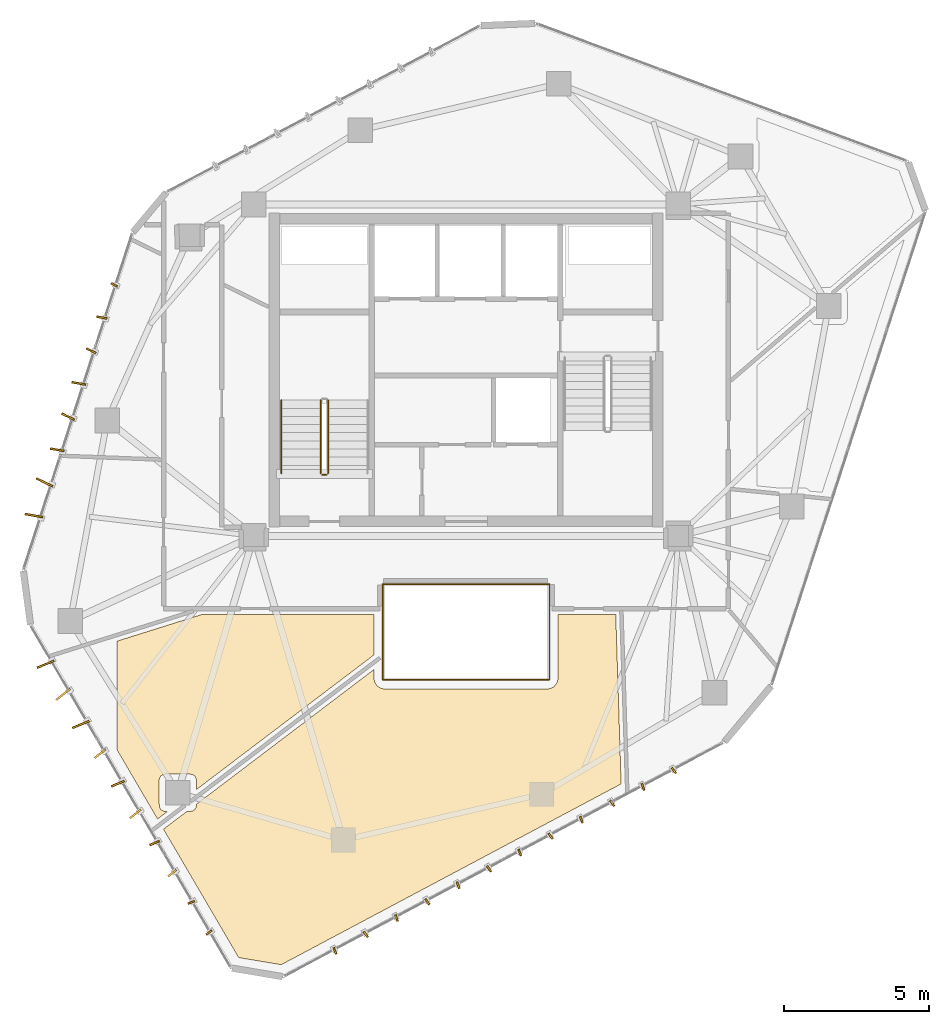
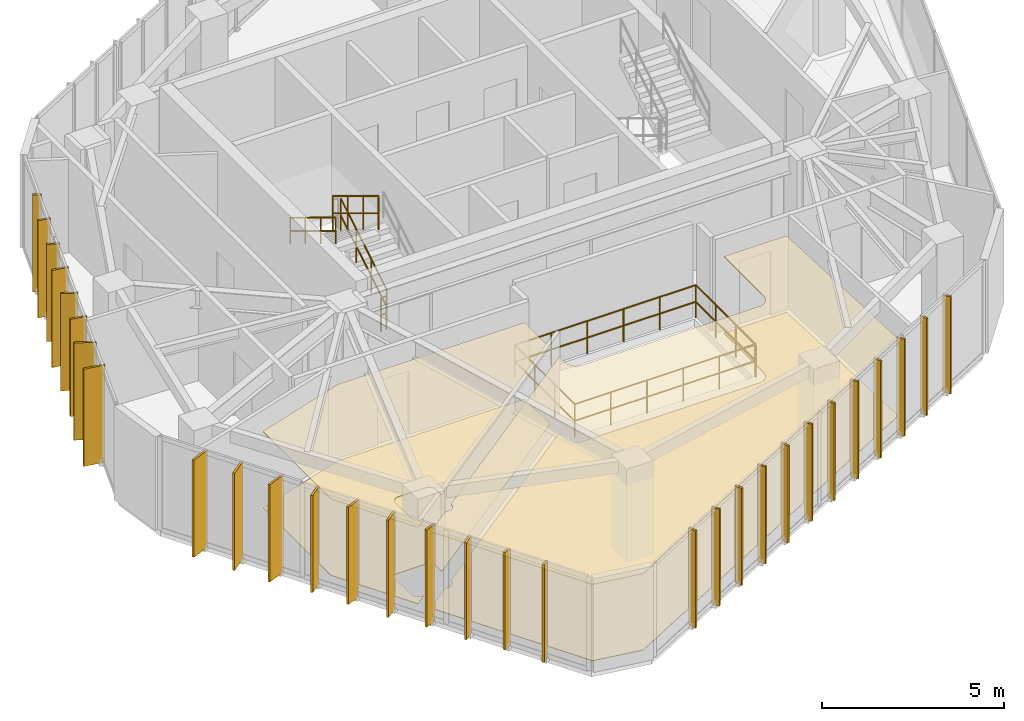
# One storey, part 19 of 20: 30 shading devices, 8 railings, 4 coverings.
"""IFC4 building model written with IfcOpenShell, lengths in metres."""

from ifc_helpers import new_model, si_unit, direction, frame, origin, origin_2d, place, context, subcontext, project, spatial, polyline, rectangle, circle, outline, extrude, source, transform, mapped, material, layer, layer_set, type_object, type_shapes, element, save


model = new_model("IFC4")

# Units and contexts
model_context = context("Model", 3, precision=1e-05, world=origin(), true_north=direction((0.0, 1.0)))
body_context = subcontext(model_context, "Body", "Model", "MODEL_VIEW")
ifc_project = project(units=[si_unit("LENGTHUNIT", "METRE"), si_unit("AREAUNIT", "SQUARE_METRE"), si_unit("VOLUMEUNIT", "CUBIC_METRE"), si_unit("PLANEANGLEUNIT", "RADIAN"), si_unit("MASSUNIT", "GRAM", prefix="KILO")], contexts=[model_context])

# Site, building, storey
site_placement = place(None, origin())
site = spatial("IfcSite", under=ifc_project, at=site_placement, CompositionType="ELEMENT")
building_placement = place(site_placement, origin())
building = spatial("IfcBuilding", under=site, at=building_placement, Name="Talar Marvaseh", CompositionType="ELEMENT")
storey_placement = place(building_placement, frame((0.0, 0.0, 261.199951171875)))
storey = spatial("IfcBuildingStorey", under=building, at=storey_placement, Name="L69", CompositionType="ELEMENT", Elevation=261.199951171875)

# Railings
ifc_material_1 = material(Name="Stainless Steel Grade 316", Category="steel")
railing_type_1 = type_object("IfcRailingType", Name="Brushed Stainless Wall Pitch Handrail 900", PredefinedType="HANDRAIL", material=ifc_material_1)
railing_1_placement = place(storey_placement, frame((19.64990234375, 30.169921875, 1.8701171875)))
element("IfcRailing", 1, at=railing_1_placement, inside=storey, type_object=railing_type_1, Name="L69 ST-1 stair handrail 2", PredefinedType="HANDRAIL", context=body_context, shape_type="SweptSolid", body=[
    extrude(circle(Radius=0.02392578125, at=origin_2d()), frame((0.0, 0.0, 0.8759765625), z_axis=(0.0, -0.85478489116, 0.518982456201), x_axis=(1.0, 0.0, 0.0)), (0.0, 0.0, 1.0), 2.9482421875),
    extrude(circle(Radius=0.02392578125, at=origin_2d()), frame((0.0, 0.0, 0.42578125), z_axis=(0.0, -0.85478489116, 0.518982456201), x_axis=(1.0, 0.0, 0.0)), (0.0, 0.0, 1.0), 2.9482421875),
    extrude(circle(Radius=0.02099609375, at=origin_2d()), origin(), (0.0, 0.0, 1.0), 0.851806640625),
    extrude(circle(Radius=0.02099609375, at=origin_2d()), frame((0.0, -0.840087890625, 0.510009765625)), (0.0, 0.0, 1.0), 0.851806640625),
    extrude(circle(Radius=0.02099609375, at=origin_2d()), frame((0.0, -1.679931640625, 1.02001953125)), (0.0, 0.0, 1.0), 0.851806640625),
    extrude(circle(Radius=0.02099609375, at=origin_2d()), frame((0.0, -2.52001953125, 1.530029296875)), (0.0, 0.0, 1.0), 0.851806640625),
])
ifc_material_2 = material(Name="Tempered Clear Glass", Category="glass")
railing_type_2 = type_object("IfcRailingType", Name="Interior Atrium Edge Balustrade 1120", PredefinedType="BALUSTRADE", material=ifc_material_2)
railing_2_placement = place(storey_placement, frame((23.130615234375, 20.560302734375, 0.0)))
element("IfcRailing", 2, at=railing_2_placement, inside=storey, type_object=railing_type_2, Name="L69 Internal Daylight Atrium Balustrade 1", PredefinedType="BALUSTRADE", context=body_context, shape_type="SweptSolid", body=[
    extrude(circle(Radius=0.02392578125, at=origin_2d()), frame((0.0, 0.0, 1.09619140625), z_axis=(1.0, 0.0, 0.0), x_axis=(0.0, 1.0, 0.0)), (0.0, 0.0, 1.0), 5.73876953125),
    extrude(circle(Radius=0.02392578125, at=origin_2d()), frame((0.0, 0.0, 0.5361328125), z_axis=(1.0, 0.0, 0.0), x_axis=(0.0, 1.0, 0.0)), (0.0, 0.0, 1.0), 5.73876953125),
    extrude(circle(Radius=0.02099609375, at=origin_2d()), origin(), (0.0, 0.0, 1.0), 1.072021484375),
    extrude(circle(Radius=0.02099609375, at=origin_2d()), frame((1.147705078125, 0.0, 0.0)), (0.0, 0.0, 1.0), 1.072021484375),
    extrude(circle(Radius=0.02099609375, at=origin_2d()), frame((2.29541015625, 0.0, 0.0)), (0.0, 0.0, 1.0), 1.072021484375),
    extrude(circle(Radius=0.02099609375, at=origin_2d()), frame((3.443359375, 0.0, 0.0)), (0.0, 0.0, 1.0), 1.072021484375),
    extrude(circle(Radius=0.02099609375, at=origin_2d()), frame((4.591064453125, 0.0, 0.0)), (0.0, 0.0, 1.0), 1.072021484375),
    extrude(circle(Radius=0.02099609375, at=origin_2d()), frame((5.73876953125, 0.0, 0.0)), (0.0, 0.0, 1.0), 1.072021484375),
])
railing_3_placement = place(storey_placement, frame((28.869384765625, 20.560302734375, 0.0)))
element("IfcRailing", 3, at=railing_3_placement, inside=storey, type_object=railing_type_2, Name="L69 Internal Daylight Atrium Balustrade 2", PredefinedType="BALUSTRADE", context=body_context, shape_type="SweptSolid", body=[
    extrude(circle(Radius=0.02392578125, at=origin_2d()), frame((0.0, 0.0, 1.09619140625), z_axis=(0.0, 1.0, 0.0), x_axis=(-1.0, 0.0, 0.0)), (0.0, 0.0, 1.0), 3.279296875),
    extrude(circle(Radius=0.02392578125, at=origin_2d()), frame((0.0, 0.0, 0.5361328125), z_axis=(0.0, 1.0, 0.0), x_axis=(-1.0, 0.0, 0.0)), (0.0, 0.0, 1.0), 3.279296875),
    extrude(circle(Radius=0.02099609375, at=origin_2d()), origin(), (0.0, 0.0, 1.0), 1.072021484375),
    extrude(circle(Radius=0.02099609375, at=origin_2d()), frame((0.0, 1.093017578125, 0.0)), (0.0, 0.0, 1.0), 1.072021484375),
    extrude(circle(Radius=0.02099609375, at=origin_2d()), frame((0.0, 2.186279296875, 0.0)), (0.0, 0.0, 1.0), 1.072021484375),
    extrude(circle(Radius=0.02099609375, at=origin_2d()), frame((0.0, 3.279296875, 0.0)), (0.0, 0.0, 1.0), 1.072021484375),
])
railing_4_placement = place(storey_placement, frame((28.869384765625, 23.839599609375, 0.0)))
element("IfcRailing", 4, at=railing_4_placement, inside=storey, type_object=railing_type_2, Name="L69 Internal Daylight Atrium Balustrade 3", PredefinedType="BALUSTRADE", context=body_context, shape_type="SweptSolid", body=[
    extrude(circle(Radius=0.02392578125, at=origin_2d()), frame((0.0, 0.0, 1.09619140625), z_axis=(-1.0, 0.0, 0.0), x_axis=(0.0, -1.0, 0.0)), (0.0, 0.0, 1.0), 5.73876953125),
    extrude(circle(Radius=0.02392578125, at=origin_2d()), frame((0.0, 0.0, 0.5361328125), z_axis=(-1.0, 0.0, 0.0), x_axis=(0.0, -1.0, 0.0)), (0.0, 0.0, 1.0), 5.73876953125),
    extrude(circle(Radius=0.02099609375, at=origin_2d()), origin(), (0.0, 0.0, 1.0), 1.072021484375),
    extrude(circle(Radius=0.02099609375, at=origin_2d()), frame((-1.147705078125, 0.0, 0.0)), (0.0, 0.0, 1.0), 1.072021484375),
    extrude(circle(Radius=0.02099609375, at=origin_2d()), frame((-2.29541015625, 0.0, 0.0)), (0.0, 0.0, 1.0), 1.072021484375),
    extrude(circle(Radius=0.02099609375, at=origin_2d()), frame((-3.443359375, 0.0, 0.0)), (0.0, 0.0, 1.0), 1.072021484375),
    extrude(circle(Radius=0.02099609375, at=origin_2d()), frame((-4.591064453125, 0.0, 0.0)), (0.0, 0.0, 1.0), 1.072021484375),
    extrude(circle(Radius=0.02099609375, at=origin_2d()), frame((-5.73876953125, 0.0, 0.0)), (0.0, 0.0, 1.0), 1.072021484375),
])
railing_5_placement = place(storey_placement, frame((23.130615234375, 23.839599609375, 0.0)))
element("IfcRailing", 5, at=railing_5_placement, inside=storey, type_object=railing_type_2, Name="L69 Internal Daylight Atrium Balustrade 4", PredefinedType="BALUSTRADE", context=body_context, shape_type="SweptSolid", body=[
    extrude(circle(Radius=0.02392578125, at=origin_2d()), frame((0.0, 0.0, 1.09619140625), z_axis=(0.0, -1.0, 0.0), x_axis=(1.0, 0.0, 0.0)), (0.0, 0.0, 1.0), 3.279296875),
    extrude(circle(Radius=0.02392578125, at=origin_2d()), frame((0.0, 0.0, 0.5361328125), z_axis=(0.0, -1.0, 0.0), x_axis=(1.0, 0.0, 0.0)), (0.0, 0.0, 1.0), 3.279296875),
    extrude(circle(Radius=0.02099609375, at=origin_2d()), origin(), (0.0, 0.0, 1.0), 1.072021484375),
    extrude(circle(Radius=0.02099609375, at=origin_2d()), frame((0.0, -1.093017578125, 0.0)), (0.0, 0.0, 1.0), 1.072021484375),
    extrude(circle(Radius=0.02099609375, at=origin_2d()), frame((0.0, -2.186279296875, 0.0)), (0.0, 0.0, 1.0), 1.072021484375),
    extrude(circle(Radius=0.02099609375, at=origin_2d()), frame((0.0, -3.279296875, 0.0)), (0.0, 0.0, 1.0), 1.072021484375),
])
railing_type_3 = type_object("IfcRailingType", Name="Painted Steel Core Stair Well Guardrail 1150", PredefinedType="GUARDRAIL", material=ifc_material_1)
railing_6_placement = place(storey_placement, frame((21.260009765625, 27.64990234375, 0.170166015625)))
element("IfcRailing", 6, at=railing_6_placement, inside=storey, type_object=railing_type_3, Name="L69 ST-1 stair guard 1", PredefinedType="GUARDRAIL", context=body_context, shape_type="SweptSolid", body=[
    extrude(circle(Radius=0.02392578125, at=origin_2d()), frame((0.0, 0.0, 1.1259765625), z_axis=(0.0, 0.854821627497, 0.518921945155), x_axis=(-1.0, 0.0, 0.0)), (0.0, 0.0, 1.0), 2.947998046875),
    extrude(circle(Radius=0.02392578125, at=origin_2d()), frame((0.0, 0.0, 0.55078125), z_axis=(0.0, 0.854821627497, 0.518921945155), x_axis=(-1.0, 0.0, 0.0)), (0.0, 0.0, 1.0), 2.947998046875),
    extrude(circle(Radius=0.02099609375, at=origin_2d()), origin(), (0.0, 0.0, 1.0), 1.101806640625),
    extrude(circle(Radius=0.02099609375, at=origin_2d()), frame((0.0, 0.840087890625, 0.510009765625)), (0.0, 0.0, 1.0), 1.101806640625),
    extrude(circle(Radius=0.02099609375, at=origin_2d()), frame((0.0, 1.679931640625, 1.019775390625)), (0.0, 0.0, 1.0), 1.101806640625),
    extrude(circle(Radius=0.02099609375, at=origin_2d()), frame((0.0, 2.52001953125, 1.52978515625)), (0.0, 0.0, 1.0), 1.101806640625),
])
railing_7_placement = place(storey_placement, frame((21.0, 30.169921875, 1.8701171875)))
element("IfcRailing", 7, at=railing_7_placement, inside=storey, type_object=railing_type_3, Name="L69 ST-1 stair guard 3", PredefinedType="GUARDRAIL", context=body_context, shape_type="SweptSolid", body=[
    extrude(circle(Radius=0.02392578125, at=origin_2d()), frame((0.0, 0.0, 1.1259765625), z_axis=(0.0, -0.85478489116, 0.518982456201), x_axis=(1.0, 0.0, 0.0)), (0.0, 0.0, 1.0), 2.9482421875),
    extrude(circle(Radius=0.02392578125, at=origin_2d()), frame((0.0, 0.0, 0.55078125), z_axis=(0.0, -0.85478489116, 0.518982456201), x_axis=(1.0, 0.0, 0.0)), (0.0, 0.0, 1.0), 2.9482421875),
    extrude(circle(Radius=0.02099609375, at=origin_2d()), origin(), (0.0, 0.0, 1.0), 1.101806640625),
    extrude(circle(Radius=0.02099609375, at=origin_2d()), frame((0.0, -0.840087890625, 0.510009765625)), (0.0, 0.0, 1.0), 1.101806640625),
    extrude(circle(Radius=0.02099609375, at=origin_2d()), frame((0.0, -1.679931640625, 1.02001953125)), (0.0, 0.0, 1.0), 1.101806640625),
    extrude(circle(Radius=0.02099609375, at=origin_2d()), frame((0.0, -2.52001953125, 1.530029296875)), (0.0, 0.0, 1.0), 1.101806640625),
])
railing_8_placement = place(storey_placement, frame((21.2099609375, 27.60009765625, 0.0)))
element("IfcRailing", 8, at=railing_8_placement, inside=storey, type_object=railing_type_3, Name="L69 ST-1 stair guard 4", PredefinedType="GUARDRAIL", context=body_context, shape_type="SweptSolid", body=[
    extrude(circle(Radius=0.02392578125, at=origin_2d()), frame((0.0, 0.0, 1.1259765625), z_axis=(-1.0, 0.0, 0.0), x_axis=(0.0, -1.0, 0.0)), (0.0, 0.0, 1.0), 0.159912109375),
    extrude(circle(Radius=0.02392578125, at=origin_2d()), frame((0.0, 0.0, 0.55078125), z_axis=(-1.0, 0.0, 0.0), x_axis=(0.0, -1.0, 0.0)), (0.0, 0.0, 1.0), 0.159912109375),
    extrude(circle(Radius=0.02099609375, at=origin_2d()), origin(), (0.0, 0.0, 1.0), 1.101806640625),
    extrude(circle(Radius=0.02099609375, at=origin_2d()), frame((-0.159912109375, 0.0, 0.0)), (0.0, 0.0, 1.0), 1.101806640625),
])

# Coverings
ifc_material_3 = material(Name="Mineral Fibre Acoustic Ceiling")
ifc_layer_1 = layer(ifc_material_3, 0.02490234375)
ifc_layer_set_1 = layer_set([ifc_layer_1], Name="Mineral Fibre Acoustic Ceiling")
covering_type_1 = type_object("IfcCoveringType", Name="Perforated Mineral Fibre Acoustic Suspended Ceiling", PredefinedType="CEILING", material=ifc_layer_set_1)
covering_1_placement = place(storey_placement, frame((0.0, 0.0, 2.56005859375)))
element("IfcCovering", 9, at=covering_1_placement, inside=storey, type_object=covering_type_1, Name="L69 Curatorial Staff Control Room Acoustic Ceiling", PredefinedType="CEILING", context=body_context, shape_type="SweptSolid", body=[
    extrude(outline(polyline([(22.840087890625, 21.411865234375), (16.72705078125, 16.776611328125), (16.72705078125, 17.093017578125), (16.726318359375, 17.110595703125), (16.723876953125, 17.128173828125), (16.719970703125, 17.1455078125), (16.714599609375, 17.162353515625), (16.707763671875, 17.1787109375), (16.7021484375, 17.190185546875), (16.6923828125, 17.208251953125), (16.680908203125, 17.225341796875), (16.667724609375, 17.240966796875), (16.653076171875, 17.255126953125), (16.636962890625, 17.267822265625), (16.61962890625, 17.27880859375), (16.601318359375, 17.2880859375), (16.58203125, 17.295166015625), (16.562255859375, 17.30029296875), (16.5419921875, 17.303466796875), (16.521484375, 17.3046875), (15.652587890625, 17.3046875), (15.632080078125, 17.303466796875), (15.61181640625, 17.30029296875), (15.591796875, 17.295166015625), (15.57275390625, 17.2880859375), (15.554443359375, 17.27880859375), (15.537109375, 17.267822265625), (15.52099609375, 17.255126953125), (15.506103515625, 17.240966796875), (15.492919921875, 17.225341796875), (15.4814453125, 17.208251953125), (15.4716796875, 17.190185546875), (15.46630859375, 17.1787109375), (15.45947265625, 17.162109375), (15.453857421875, 17.145263671875), (15.449951171875, 17.127685546875), (15.44775390625, 17.110107421875), (15.447021484375, 17.09228515625), (15.450439453125, 16.232666015625), (15.451416015625, 16.21240234375), (15.45458984375, 16.192138671875), (15.4599609375, 16.17236328125), (15.46728515625, 16.1533203125), (15.476318359375, 16.135009765625), (15.4873046875, 16.117919921875), (15.5, 16.101806640625), (15.51416015625, 16.087158203125), (15.52978515625, 16.073974609375), (15.546630859375, 16.0625), (15.564697265625, 16.052734375), (15.576416015625, 16.04736328125), (15.592529296875, 16.040283203125), (15.609619140625, 16.034912109375), (15.626708984375, 16.031005859375), (15.644287109375, 16.02880859375), (15.662109375, 16.028076171875), (15.73974609375, 16.028076171875), (15.391845703125, 15.76416015625), (14.0, 18.1416015625), (14.0, 21.882080078125), (16.9189453125, 22.800048828125), (22.840087890625, 22.800048828125), (22.840087890625, 21.411865234375)])), origin(), (0.0, 0.0, 1.0), 0.02490234375),
])
covering_2_placement = place(storey_placement, frame((0.0, 0.0, 2.56005859375)))
element("IfcCovering", 10, at=covering_2_placement, inside=storey, type_object=covering_type_1, Name="L69 Artisan Craft Showroom Acoustic Ceiling", PredefinedType="CEILING", context=body_context, shape_type="SweptSolid", body=[
    extrude(outline(polyline([(16.525146484375, 16.031494140625), (16.54541015625, 16.03271484375), (16.565185546875, 16.0361328125), (16.584716796875, 16.04150390625), (16.603515625, 16.048828125), (16.621337890625, 16.05810546875), (16.63818359375, 16.069091796875), (16.654052734375, 16.08154296875), (16.66845703125, 16.095703125), (16.681396484375, 16.111083984375), (16.692626953125, 16.1279296875), (16.7021484375, 16.145751953125), (16.707763671875, 16.1572265625), (16.714599609375, 16.173583984375), (16.719970703125, 16.1904296875), (16.723876953125, 16.207763671875), (16.726318359375, 16.225341796875), (16.72705078125, 16.242919921875), (16.72705078125, 16.274658203125), (22.84033203125, 20.910400390625), (22.8408203125, 20.583984375), (22.84228515625, 20.559814453125), (22.8466796875, 20.53564453125), (22.858154296875, 20.490234375), (22.863037109375, 20.4736328125), (22.869384765625, 20.457763671875), (22.876953125, 20.4423828125), (22.885986328125, 20.427490234375), (22.920654296875, 20.375732421875), (22.934326171875, 20.357421875), (22.9501953125, 20.341064453125), (22.9677734375, 20.326416015625), (23.00537109375, 20.29833984375), (23.021728515625, 20.287353515625), (23.0390625, 20.278076171875), (23.057373046875, 20.2705078125), (23.1015625, 20.2548828125), (23.123291015625, 20.248291015625), (23.14599609375, 20.244384765625), (23.168701171875, 20.2431640625), (28.815673828125, 20.24072265625), (28.832763671875, 20.241455078125), (28.849853515625, 20.24365234375), (28.86669921875, 20.247314453125), (28.883056640625, 20.25244140625), (28.956298828125, 20.27880859375), (28.974365234375, 20.2861328125), (28.99169921875, 20.29541015625), (29.008056640625, 20.306396484375), (29.023193359375, 20.31884765625), (29.037109375, 20.332763671875), (29.08935546875, 20.390380859375), (29.101806640625, 20.405517578125), (29.112548828125, 20.421875), (29.121826171875, 20.439208984375), (29.12939453125, 20.457275390625), (29.135009765625, 20.47607421875), (29.154052734375, 20.551513671875), (29.1572265625, 20.5673828125), (29.1591796875, 20.58349609375), (29.159912109375, 20.60009765625), (29.159912109375, 22.800048828125), (31.14892578125, 22.800048828125), (31.333984375, 16.971923828125), (19.6435546875, 10.75390625), (18.1806640625, 11.00048828125), (15.595458984375, 15.41650390625), (16.4033203125, 16.029296875), (16.525146484375, 16.031494140625)])), origin(), (0.0, 0.0, 1.0), 0.02490234375),
])
ifc_material_4 = material(Name="Porcelain Stoneware Tile", Category="masonry")
ifc_layer_2 = layer(ifc_material_4, 0.02001953125)
ifc_layer_set_2 = layer_set([ifc_layer_2], Name="Porcelain Stoneware Tile")
covering_type_2 = type_object("IfcCoveringType", Name="Polished Porcelain Stoneware Gallery Flooring", PredefinedType="FLOORING", material=ifc_layer_set_2)
covering_3_placement = place(storey_placement, origin())
element("IfcCovering", 11, at=covering_3_placement, inside=storey, type_object=covering_type_2, Name="L69 Curatorial Staff Control Room Flooring", PredefinedType="FLOORING", context=body_context, shape_type="SweptSolid", body=[
    extrude(outline(polyline([(22.840087890625, 21.411865234375), (16.72705078125, 16.776611328125), (16.72705078125, 17.093017578125), (16.726318359375, 17.110595703125), (16.723876953125, 17.128173828125), (16.719970703125, 17.1455078125), (16.714599609375, 17.162353515625), (16.707763671875, 17.1787109375), (16.7021484375, 17.190185546875), (16.6923828125, 17.208251953125), (16.680908203125, 17.225341796875), (16.667724609375, 17.240966796875), (16.653076171875, 17.255126953125), (16.636962890625, 17.267822265625), (16.61962890625, 17.27880859375), (16.601318359375, 17.2880859375), (16.58203125, 17.295166015625), (16.562255859375, 17.30029296875), (16.5419921875, 17.303466796875), (16.521484375, 17.3046875), (15.652587890625, 17.3046875), (15.632080078125, 17.303466796875), (15.61181640625, 17.30029296875), (15.591796875, 17.295166015625), (15.57275390625, 17.2880859375), (15.554443359375, 17.27880859375), (15.537109375, 17.267822265625), (15.52099609375, 17.255126953125), (15.506103515625, 17.240966796875), (15.492919921875, 17.225341796875), (15.4814453125, 17.208251953125), (15.4716796875, 17.190185546875), (15.46630859375, 17.1787109375), (15.45947265625, 17.162109375), (15.453857421875, 17.145263671875), (15.449951171875, 17.127685546875), (15.44775390625, 17.110107421875), (15.447021484375, 17.09228515625), (15.450439453125, 16.232666015625), (15.451416015625, 16.21240234375), (15.45458984375, 16.192138671875), (15.4599609375, 16.17236328125), (15.46728515625, 16.1533203125), (15.476318359375, 16.135009765625), (15.4873046875, 16.117919921875), (15.5, 16.101806640625), (15.51416015625, 16.087158203125), (15.52978515625, 16.073974609375), (15.546630859375, 16.0625), (15.564697265625, 16.052734375), (15.576416015625, 16.04736328125), (15.592529296875, 16.040283203125), (15.609619140625, 16.034912109375), (15.626708984375, 16.031005859375), (15.644287109375, 16.02880859375), (15.662109375, 16.028076171875), (15.73974609375, 16.028076171875), (15.391845703125, 15.76416015625), (14.0, 18.1416015625), (14.0, 21.882080078125), (16.9189453125, 22.800048828125), (22.840087890625, 22.800048828125), (22.840087890625, 21.411865234375)])), origin(), (0.0, 0.0, 1.0), 0.02001953125),
])
covering_4_placement = place(storey_placement, origin())
element("IfcCovering", 12, at=covering_4_placement, inside=storey, type_object=covering_type_2, Name="L69 Artisan Craft Showroom Flooring", PredefinedType="FLOORING", context=body_context, shape_type="SweptSolid", body=[
    extrude(outline(polyline([(16.525146484375, 16.031494140625), (16.54541015625, 16.03271484375), (16.565185546875, 16.0361328125), (16.584716796875, 16.04150390625), (16.603515625, 16.048828125), (16.621337890625, 16.05810546875), (16.63818359375, 16.069091796875), (16.654052734375, 16.08154296875), (16.66845703125, 16.095703125), (16.681396484375, 16.111083984375), (16.692626953125, 16.1279296875), (16.7021484375, 16.145751953125), (16.707763671875, 16.1572265625), (16.714599609375, 16.173583984375), (16.719970703125, 16.1904296875), (16.723876953125, 16.207763671875), (16.726318359375, 16.225341796875), (16.72705078125, 16.242919921875), (16.72705078125, 16.274658203125), (22.84033203125, 20.910400390625), (22.8408203125, 20.583984375), (22.84228515625, 20.559814453125), (22.8466796875, 20.53564453125), (22.858154296875, 20.490234375), (22.863037109375, 20.4736328125), (22.869384765625, 20.457763671875), (22.876953125, 20.4423828125), (22.885986328125, 20.427490234375), (22.920654296875, 20.375732421875), (22.934326171875, 20.357421875), (22.9501953125, 20.341064453125), (22.9677734375, 20.326416015625), (23.00537109375, 20.29833984375), (23.021728515625, 20.287353515625), (23.0390625, 20.278076171875), (23.057373046875, 20.2705078125), (23.1015625, 20.2548828125), (23.123291015625, 20.248291015625), (23.14599609375, 20.244384765625), (23.168701171875, 20.2431640625), (28.815673828125, 20.24072265625), (28.832763671875, 20.241455078125), (28.849853515625, 20.24365234375), (28.86669921875, 20.247314453125), (28.883056640625, 20.25244140625), (28.956298828125, 20.27880859375), (28.974365234375, 20.2861328125), (28.99169921875, 20.29541015625), (29.008056640625, 20.306396484375), (29.023193359375, 20.31884765625), (29.037109375, 20.332763671875), (29.08935546875, 20.390380859375), (29.101806640625, 20.405517578125), (29.112548828125, 20.421875), (29.121826171875, 20.439208984375), (29.12939453125, 20.457275390625), (29.135009765625, 20.47607421875), (29.154052734375, 20.551513671875), (29.1572265625, 20.5673828125), (29.1591796875, 20.58349609375), (29.159912109375, 20.60009765625), (29.159912109375, 22.800048828125), (31.14892578125, 22.800048828125), (31.333984375, 16.971923828125), (19.6435546875, 10.75390625), (18.1806640625, 11.00048828125), (15.595458984375, 15.41650390625), (16.4033203125, 16.029296875), (16.525146484375, 16.031494140625)])), origin(), (0.0, 0.0, 1.0), 0.02001953125),
])

# Shading devices
ifc_material_5 = material(Name="Anodised Champagne Bronze Aluminium", Category="aluminium")
ifc_layer_3 = layer(ifc_material_5, 0.06494140625)
ifc_layer_set_3 = layer_set([ifc_layer_3], Name="Anodised Champagne Bronze Aluminium")
shading_device_type_1 = type_object("IfcShadingDeviceType", Name="Sawtooth Champagne Bronze Vertical Fin 240", PredefinedType="USERDEFINED", material=ifc_layer_set_3)
shared_shape_1 = source(origin(), body_context, "Body", "SweptSolid", [
    extrude(rectangle(XDim=0.239990234375, YDim=0.06494140625, at=origin_2d()), origin(), (0.0, 0.0, 1.0), 3.260009765625),
])
type_shapes(shading_device_type_1, [shared_shape_1])
for number, where, z_axis, x_axis, name in (
    (13, (17.160888671875, 11.86181640625, -0.1201171875), (0.0, 0.0, 1.0), (-0.784235212544, -0.620463642292, 0.0), "L69 Sawtooth Vertical Solar Fin"),
    (14, (16.5546875, 12.8974609375, -0.1201171875), (0.0, 0.0, 1.0), (-0.924878228167, -0.380263412733, 0.0), "L69 Sawtooth Vertical Solar Fin"),
    (15, (13.90478515625, 34.13330078125, -0.1201171875), (0.0, 0.0, 1.0), (-0.899328946775, 0.437272735822, 0.0), "L69 Sawtooth Vertical Solar Fin"),
    (16, (33.145751953125, 17.431640625, -0.1201171875), (0.0, 0.0, 1.0), (0.587926443442, -0.808914394174, 0.0), "L69 Sawtooth Vertical Solar Fin"),
    (17, (32.086181640625, 16.8681640625, -0.1201171875), (0.0, 0.0, 1.0), (0.342184145417, -0.939632912698, 0.0), "L69 Sawtooth Vertical Solar Fin"),
    (18, (31.02685546875, 16.3046875, -0.1201171875), (0.0, 0.0, 1.0), (0.587926443442, -0.808914394174, 0.0), "L69 Sawtooth Vertical Solar Fin"),
    (19, (29.96728515625, 15.7412109375, -0.1201171875), (0.0, 0.0, 1.0), (0.342184145417, -0.939632912698, 0.0), "L69 Sawtooth Vertical Solar Fin"),
    (20, (28.907958984375, 15.177490234375, -0.1201171875), (0.0, 0.0, 1.0), (0.587926443442, -0.808914394174, 0.0), "L69 Sawtooth Vertical Solar Fin"),
    (21, (27.848388671875, 14.614013671875, -0.1201171875), (0.0, 0.0, 1.0), (0.342184145417, -0.939632912698, 0.0), "L69 Sawtooth Vertical Solar Fin"),
    (22, (26.7890625, 14.050537109375, -0.1201171875), (0.0, 0.0, 1.0), (0.587926443442, -0.808914394174, 0.0), "L69 Sawtooth Vertical Solar Fin"),
    (23, (25.7294921875, 13.487060546875, -0.1201171875), (0.0, 0.0, 1.0), (0.342184145417, -0.939632912698, 0.0), "L69 Sawtooth Vertical Solar Fin"),
    (24, (24.670166015625, 12.923583984375, -0.1201171875), (0.0, 0.0, 1.0), (0.587926443442, -0.808914394174, 0.0), "L69 Sawtooth Vertical Solar Fin"),
    (25, (23.610595703125, 12.360107421875, -0.1201171875), (0.0, 0.0, 1.0), (0.342184145417, -0.939632912698, 0.0), "L69 Sawtooth Vertical Solar Fin"),
    (26, (22.55126953125, 11.79638671875, -0.1201171875), (0.0, 0.0, 1.0), (0.587926443442, -0.808914394174, 0.0), "L69 Sawtooth Vertical Solar Fin"),
    (27, (21.49169921875, 11.23291015625, -0.1201171875), (0.0, 0.0, 1.0), (0.342184145417, -0.939632912698, 0.0), "L69 Sawtooth Vertical Solar Fin"),
):
    element("IfcShadingDevice", number, at=place(storey_placement, frame(where, z_axis=z_axis, x_axis=x_axis)), inside=storey, type_object=shading_device_type_1, Name=name, ObjectType="FIN", PredefinedType="USERDEFINED", context=body_context, shape_type="MappedRepresentation", body=[
        mapped(shared_shape_1, transform((0.0, 0.0, 0.0), x_axis=(1.0, 0.0, 0.0), y_axis=(0.0, 1.0, 0.0), z_axis=(0.0, 0.0, 1.0), scale=1.0)),
    ])
ifc_layer_4 = layer(ifc_material_5, 0.06494140625)
ifc_layer_set_4 = layer_set([ifc_layer_4], Name="Anodised Champagne Bronze Aluminium")
shading_device_type_2 = type_object("IfcShadingDeviceType", Name="Sawtooth Champagne Bronze Vertical Fin 360", PredefinedType="USERDEFINED", material=ifc_layer_set_4)
shared_shape_2 = source(origin(), body_context, "Body", "SweptSolid", [
    extrude(rectangle(XDim=0.360107421875, YDim=0.06494140625, at=origin_2d()), origin(), (0.0, 0.0, 1.0), 3.260009765625),
])
type_shapes(shading_device_type_2, [shared_shape_2])
for number, where, z_axis, x_axis, name in (
    (28, (15.896484375, 13.902587890625, -0.1201171875), (0.0, 0.0, 1.0), (-0.784235212544, -0.620463642292, 0.0), "L69 Sawtooth Vertical Solar Fin"),
    (29, (15.290283203125, 14.938232421875, -0.1201171875), (0.0, 0.0, 1.0), (-0.924878228167, -0.380263412733, 0.0), "L69 Sawtooth Vertical Solar Fin"),
    (30, (13.10888671875, 31.8681640625, -0.1201171875), (0.0, 0.0, 1.0), (-0.899328946775, 0.437272735822, 0.0), "L69 Sawtooth Vertical Solar Fin"),
    (31, (13.478271484375, 33.010009765625, -0.1201171875), (0.0, 0.0, 1.0), (-0.985019169256, 0.172444878725, 0.0), "L69 Sawtooth Vertical Solar Fin"),
):
    element("IfcShadingDevice", number, at=place(storey_placement, frame(where, z_axis=z_axis, x_axis=x_axis)), inside=storey, type_object=shading_device_type_2, Name=name, ObjectType="FIN", PredefinedType="USERDEFINED", context=body_context, shape_type="MappedRepresentation", body=[
        mapped(shared_shape_2, transform((0.0, 0.0, 0.0), x_axis=(1.0, 0.0, 0.0), y_axis=(0.0, 1.0, 0.0), z_axis=(0.0, 0.0, 1.0), scale=1.0)),
    ])
ifc_layer_5 = layer(ifc_material_5, 0.06494140625)
ifc_layer_set_5 = layer_set([ifc_layer_5], Name="Anodised Champagne Bronze Aluminium")
shading_device_type_3 = type_object("IfcShadingDeviceType", Name="Sawtooth Champagne Bronze Vertical Fin 480", PredefinedType="USERDEFINED", material=ifc_layer_set_5)
shared_shape_3 = source(origin(), body_context, "Body", "SweptSolid", [
    extrude(rectangle(XDim=0.47998046875, YDim=0.06494140625, at=origin_2d()), origin(), (0.0, 0.0, 1.0), 3.260009765625),
])
type_shapes(shading_device_type_3, [shared_shape_3])
for number, where, z_axis, x_axis, name in (
    (32, (14.632080078125, 15.943603515625, -0.1201171875), (0.0, 0.0, 1.0), (-0.784235212544, -0.620463642292, 0.0), "L69 Sawtooth Vertical Solar Fin"),
    (33, (14.02587890625, 16.97900390625, -0.1201171875), (0.0, 0.0, 1.0), (-0.924878228167, -0.380263412733, 0.0), "L69 Sawtooth Vertical Solar Fin"),
    (34, (13.419677734375, 18.0146484375, -0.1201171875), (0.0, 0.0, 1.0), (-0.784235212544, -0.620463642292, 0.0), "L69 Sawtooth Vertical Solar Fin"),
    (35, (11.943359375, 28.461669921875, -0.1201171875), (0.0, 0.0, 1.0), (-0.985019169256, 0.172444878725, 0.0), "L69 Sawtooth Vertical Solar Fin"),
    (36, (12.312744140625, 29.603271484375, -0.1201171875), (0.0, 0.0, 1.0), (-0.899328946775, 0.437272735822, 0.0), "L69 Sawtooth Vertical Solar Fin"),
    (37, (12.682373046875, 30.7451171875, -0.1201171875), (0.0, 0.0, 1.0), (-0.985019169256, 0.172444878725, 0.0), "L69 Sawtooth Vertical Solar Fin"),
):
    element("IfcShadingDevice", number, at=place(storey_placement, frame(where, z_axis=z_axis, x_axis=x_axis)), inside=storey, type_object=shading_device_type_3, Name=name, ObjectType="FIN", PredefinedType="USERDEFINED", context=body_context, shape_type="MappedRepresentation", body=[
        mapped(shared_shape_3, transform((0.0, 0.0, 0.0), x_axis=(1.0, 0.0, 0.0), y_axis=(0.0, 1.0, 0.0), z_axis=(0.0, 0.0, 1.0), scale=1.0)),
    ])
ifc_layer_6 = layer(ifc_material_5, 0.06494140625)
ifc_layer_set_6 = layer_set([ifc_layer_6], Name="Anodised Champagne Bronze Aluminium")
shading_device_type_4 = type_object("IfcShadingDeviceType", Name="Sawtooth Champagne Bronze Vertical Fin 620", PredefinedType="USERDEFINED", material=ifc_layer_set_6)
shared_shape_4 = source(origin(), body_context, "Body", "SweptSolid", [
    extrude(rectangle(XDim=0.6201171875, YDim=0.06494140625, at=origin_2d()), origin(), (0.0, 0.0, 1.0), 3.260009765625),
])
type_shapes(shading_device_type_4, [shared_shape_4])
for number, where, z_axis, x_axis, name in (
    (38, (12.7529296875, 19.014892578125, -0.1201171875), (0.0, 0.0, 1.0), (-0.924878228167, -0.380263412733, 0.0), "L69 Sawtooth Vertical Solar Fin"),
    (39, (12.146728515625, 20.050537109375, -0.1201171875), (0.0, 0.0, 1.0), (-0.784235212544, -0.620463642292, 0.0), "L69 Sawtooth Vertical Solar Fin"),
    (40, (11.54052734375, 21.086181640625, -0.1201171875), (0.0, 0.0, 1.0), (-0.924878228167, -0.380263412733, 0.0), "L69 Sawtooth Vertical Solar Fin"),
    (41, (11.1376953125, 26.19970703125, -0.1201171875), (0.0, 0.0, 1.0), (-0.985019169256, 0.172444878725, 0.0), "L69 Sawtooth Vertical Solar Fin"),
    (42, (11.50732421875, 27.34130859375, -0.1201171875), (0.0, 0.0, 1.0), (-0.899328946775, 0.437272735822, 0.0), "L69 Sawtooth Vertical Solar Fin"),
):
    element("IfcShadingDevice", number, at=place(storey_placement, frame(where, z_axis=z_axis, x_axis=x_axis)), inside=storey, type_object=shading_device_type_4, Name=name, ObjectType="FIN", PredefinedType="USERDEFINED", context=body_context, shape_type="MappedRepresentation", body=[
        mapped(shared_shape_4, transform((0.0, 0.0, 0.0), x_axis=(1.0, 0.0, 0.0), y_axis=(0.0, 1.0, 0.0), z_axis=(0.0, 0.0, 1.0), scale=1.0)),
    ])

save(model, "model.ifc")
